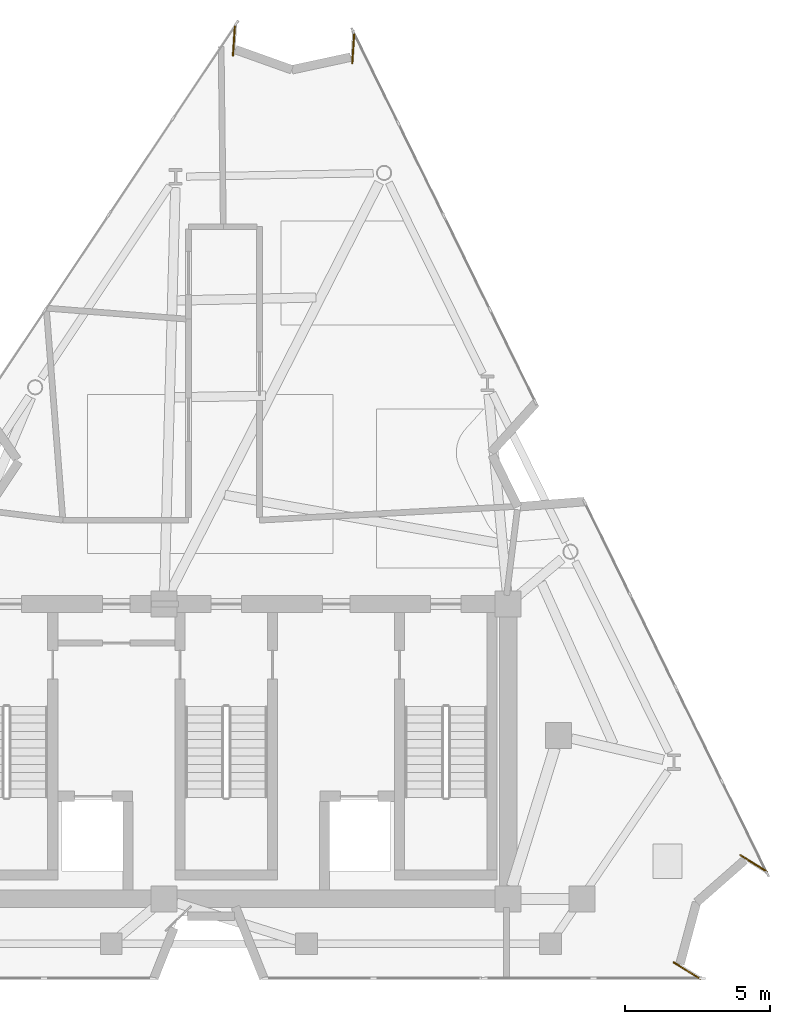
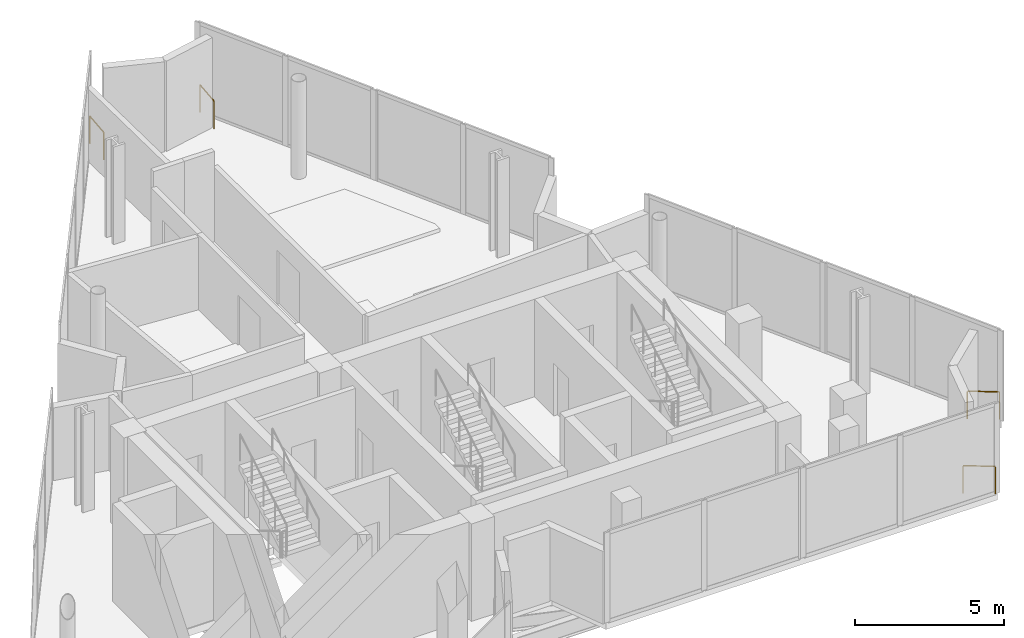
# One storey, part 9 of 9: 4 railings.
"""IFC4 building model written with IfcOpenShell, lengths in metres."""

from ifc_helpers import new_model, si_unit, direction, frame, origin, origin_2d, place, context, subcontext, project, spatial, circle, extrude, material, type_object, element, save


model = new_model("IFC4")

# Units and contexts
model_context = context("Model", 3, precision=1e-05, world=origin(), true_north=direction((0.0, 1.0)))
body_context = subcontext(model_context, "Body", "Model", "MODEL_VIEW")
ifc_project = project(units=[si_unit("LENGTHUNIT", "METRE"), si_unit("AREAUNIT", "SQUARE_METRE"), si_unit("VOLUMEUNIT", "CUBIC_METRE"), si_unit("PLANEANGLEUNIT", "RADIAN"), si_unit("MASSUNIT", "GRAM", prefix="KILO")], contexts=[model_context])

# Site, building, storey
site_placement = place(None, origin())
site = spatial("IfcSite", under=ifc_project, at=site_placement, CompositionType="ELEMENT")
building_placement = place(site_placement, origin())
building = spatial("IfcBuilding", under=site, at=building_placement, Name="Almagre Mirador Tower", CompositionType="ELEMENT")
storey_placement = place(building_placement, frame((0.0, 0.0, 298.5)))
storey = spatial("IfcBuildingStorey", under=building, at=storey_placement, Name="L77", CompositionType="ELEMENT", Elevation=298.5)

# Railings
ifc_material = material(Name="Black anodized aluminium", Category="aluminium")
railing_type = type_object("IfcRailingType", Name="RLG-BAL-1150", PredefinedType="BALUSTRADE", material=ifc_material)
railing_1_placement = place(storey_placement, frame((37.6025390625, 34.77587890625, 0.0)))
element("IfcRailing", 1, at=railing_1_placement, inside=storey, type_object=railing_type, Name="L77 perimeter edge balustrade 01", PredefinedType="BALUSTRADE", context=body_context, shape_type="SweptSolid", body=[
    extrude(circle(Radius=0.02392578125, at=origin_2d()), frame((0.0, 0.0, 1.1259765625), z_axis=(-0.065568913537, -0.99784804333, 0.0), x_axis=(0.99784804333, -0.065568913537, 0.0)), (0.0, 0.0, 1.0), 1.057373046875),
    extrude(circle(Radius=0.02099609375, at=origin_2d()), origin(), (0.0, 0.0, 1.0), 1.101806640625),
    extrude(circle(Radius=0.02099609375, at=origin_2d()), frame((-0.0693359375, -1.05517578125, 0.0)), (0.0, 0.0, 1.0), 1.101806640625),
])
railing_2_placement = place(storey_placement, frame((41.65869140625, 33.44970703125, 0.0)))
element("IfcRailing", 2, at=railing_2_placement, inside=storey, type_object=railing_type, Name="L77 perimeter edge balustrade 02", PredefinedType="BALUSTRADE", context=body_context, shape_type="SweptSolid", body=[
    extrude(circle(Radius=0.02392578125, at=origin_2d()), frame((0.0, 0.0, 1.1259765625), z_axis=(0.06581395389, 0.997831911433, 0.0), x_axis=(-0.997831911433, 0.06581395389, 0.0)), (0.0, 0.0, 1.0), 1.05712890625),
    extrude(circle(Radius=0.02099609375, at=origin_2d()), origin(), (0.0, 0.0, 1.0), 1.101806640625),
    extrude(circle(Radius=0.02099609375, at=origin_2d()), frame((0.069580078125, 1.054931640625, 0.0)), (0.0, 0.0, 1.0), 1.101806640625),
])
railing_3_placement = place(storey_placement, frame((56.009765625, 5.4873046875, 0.0)))
element("IfcRailing", 3, at=railing_3_placement, inside=storey, type_object=railing_type, Name="L77 perimeter edge balustrade 03", PredefinedType="BALUSTRADE", context=body_context, shape_type="SweptSolid", body=[
    extrude(circle(Radius=0.02392578125, at=origin_2d()), frame((0.0, 0.0, 1.1259765625), z_axis=(-0.848641784202, 0.528967978338, 0.0), x_axis=(-0.528967978338, -0.848641784202, 0.0)), (0.0, 0.0, 1.0), 1.0859375),
    extrude(circle(Radius=0.02099609375, at=origin_2d()), origin(), (0.0, 0.0, 1.0), 1.101806640625),
    extrude(circle(Radius=0.02099609375, at=origin_2d()), frame((-0.921630859375, 0.574462890625, 0.0)), (0.0, 0.0, 1.0), 1.101806640625),
])
railing_4_placement = place(storey_placement, frame((52.779052734375, 2.352783203125, 0.0)))
element("IfcRailing", 4, at=railing_4_placement, inside=storey, type_object=railing_type, Name="L77 perimeter edge balustrade 04", PredefinedType="BALUSTRADE", context=body_context, shape_type="SweptSolid", body=[
    extrude(circle(Radius=0.02392578125, at=origin_2d()), frame((0.0, 0.0, 1.1259765625), z_axis=(0.849045393979, -0.528319902108, 0.0), x_axis=(0.528319902108, 0.849045393979, 0.0)), (0.0, 0.0, 1.0), 1.08544921875),
    extrude(circle(Radius=0.02099609375, at=origin_2d()), origin(), (0.0, 0.0, 1.0), 1.101806640625),
    extrude(circle(Radius=0.02099609375, at=origin_2d()), frame((0.921630859375, -0.573486328125, 0.0)), (0.0, 0.0, 1.0), 1.101806640625),
])

save(model, "model.ifc")
